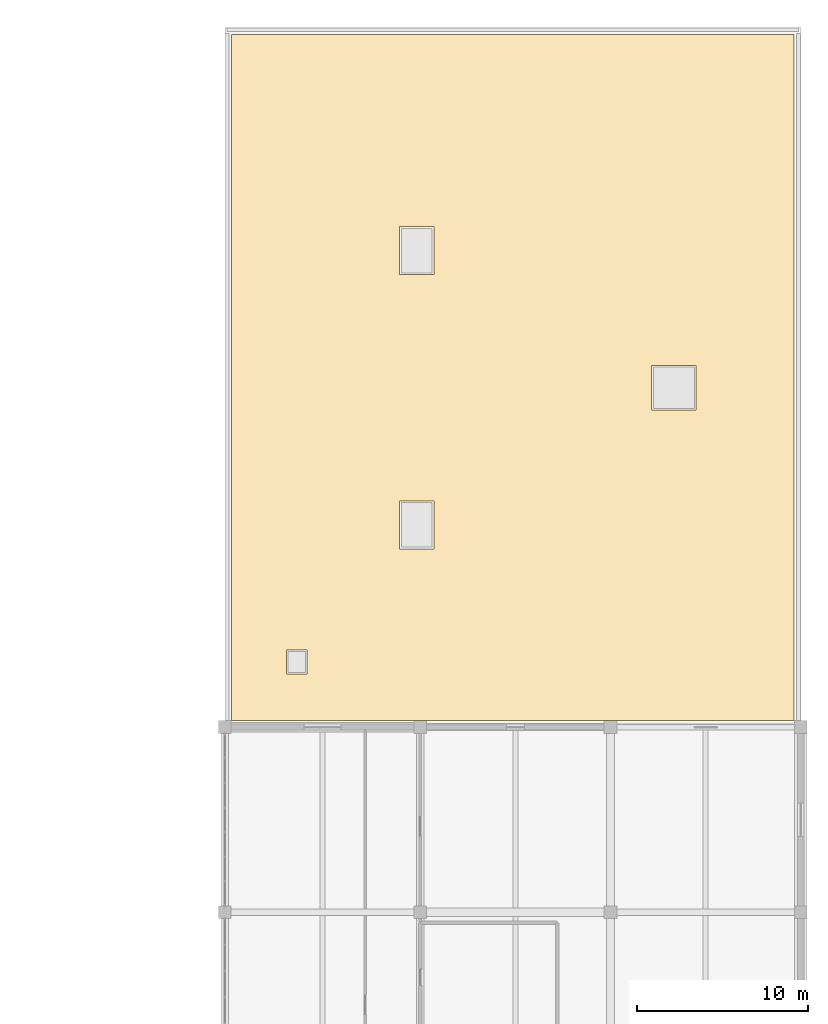
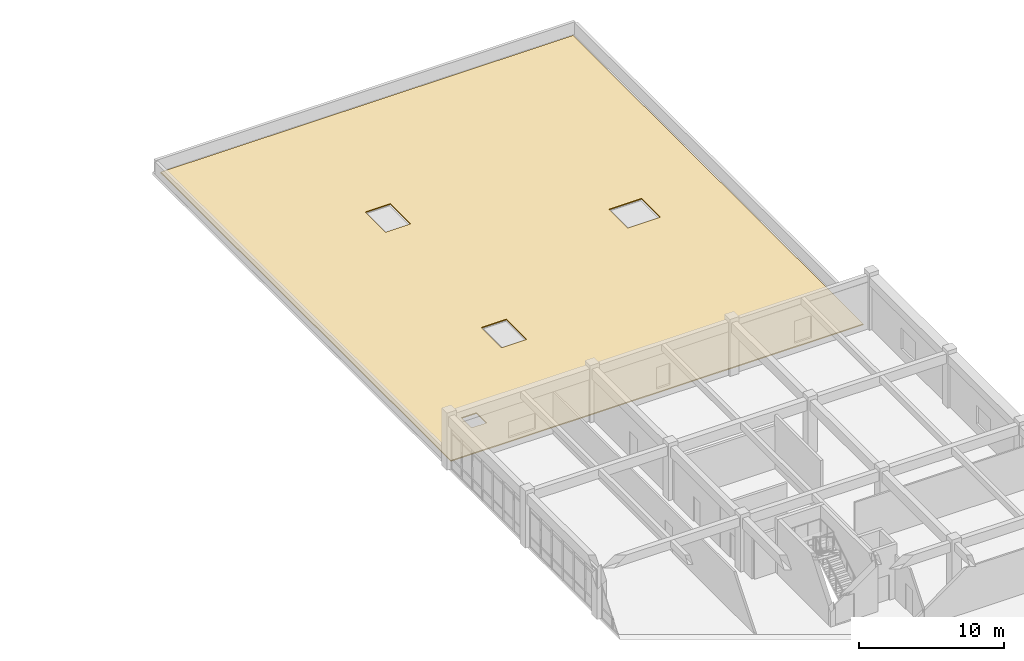
# One storey, part 68 of 68: 1 covering.
"""IFC4 building model written with IfcOpenShell, lengths in metres."""

from ifc_helpers import new_model, si_unit, direction, frame, origin, place, context, subcontext, project, spatial, polyline, outline, extrude, material, layer, layer_set, type_object, element, save


model = new_model("IFC4")

# Units and contexts
model_context = context("Model", 3, precision=1e-05, world=origin(), true_north=direction((0.0, 1.0)))
body_context = subcontext(model_context, "Body", "Model", "MODEL_VIEW")
ifc_project = project(units=[si_unit("LENGTHUNIT", "METRE"), si_unit("AREAUNIT", "SQUARE_METRE"), si_unit("VOLUMEUNIT", "CUBIC_METRE"), si_unit("PLANEANGLEUNIT", "RADIAN"), si_unit("MASSUNIT", "GRAM", prefix="KILO")], contexts=[model_context])

# Site, building, storey
site_placement = place(None, origin())
site = spatial("IfcSite", under=ifc_project, at=site_placement, CompositionType="ELEMENT")
building_placement = place(site_placement, origin())
building = spatial("IfcBuilding", under=site, at=building_placement, Name="Miralva Faculty of Natural Sciences", CompositionType="ELEMENT")
storey_placement = place(building_placement, frame((0.0, 0.0, 5.39990234375)))
storey = spatial("IfcBuildingStorey", under=building, at=storey_placement, Name="L01", CompositionType="ELEMENT", Elevation=5.39990234375)

# Covering
ifc_material = material(Name="Elastomeric waterproofing membrane")
ifc_layer = layer(ifc_material, 0.0849609375, Name="COV-RF01")
ifc_layer_set = layer_set([ifc_layer], Name="Elastomeric waterproofing membrane")
covering_type = type_object("IfcCoveringType", Name="COV-RF01", PredefinedType="ROOFING", material=ifc_layer_set)
covering_placement = place(storey_placement, origin())
element("IfcCovering", 1, at=covering_placement, inside=storey, type_object=covering_type, Name="Roof membrane and substrate L01-1", PredefinedType="ROOFING", context=body_context, shape_type="SweptSolid", body=[
    extrude(outline(polyline([(134.199951171875, 76.60009765625), (134.199951171875, 116.60009765625), (167.0, 116.60009765625), (167.0, 76.60009765625), (134.199951171875, 76.60009765625)]), holes=[polyline([(146.0, 86.60009765625), (146.0, 89.39990234375), (144.0, 89.39990234375), (144.0, 86.60009765625), (146.0, 86.60009765625)]), polyline([(144.0, 102.60009765625), (146.0, 102.60009765625), (146.0, 105.39990234375), (144.0, 105.39990234375), (144.0, 102.60009765625)]), polyline([(158.699951171875, 97.300048828125), (158.699951171875, 94.699951171875), (161.300048828125, 94.699951171875), (161.300048828125, 97.300048828125), (158.699951171875, 97.300048828125)]), polyline([(138.60009765625, 80.699951171875), (137.39990234375, 80.699951171875), (137.39990234375, 79.300048828125), (138.60009765625, 79.300048828125), (138.60009765625, 80.699951171875)])]), origin(), (0.0, 0.0, 1.0), 0.085205078125),
])

save(model, "model.ifc")
